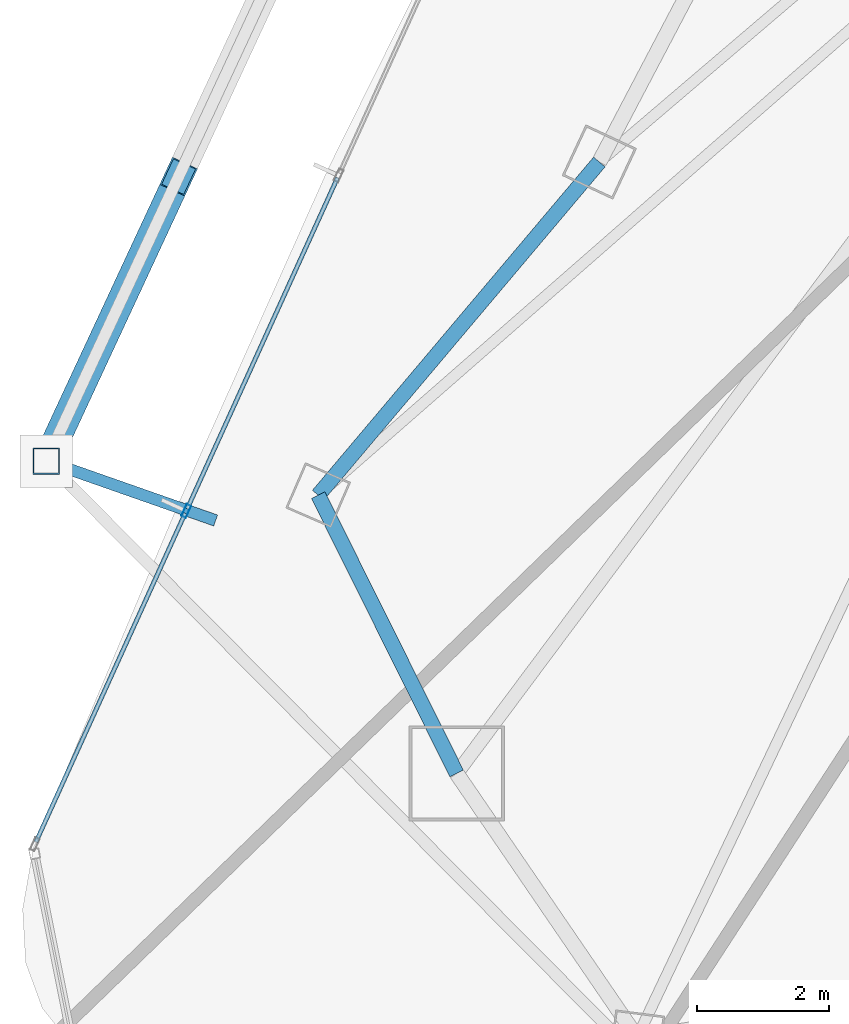
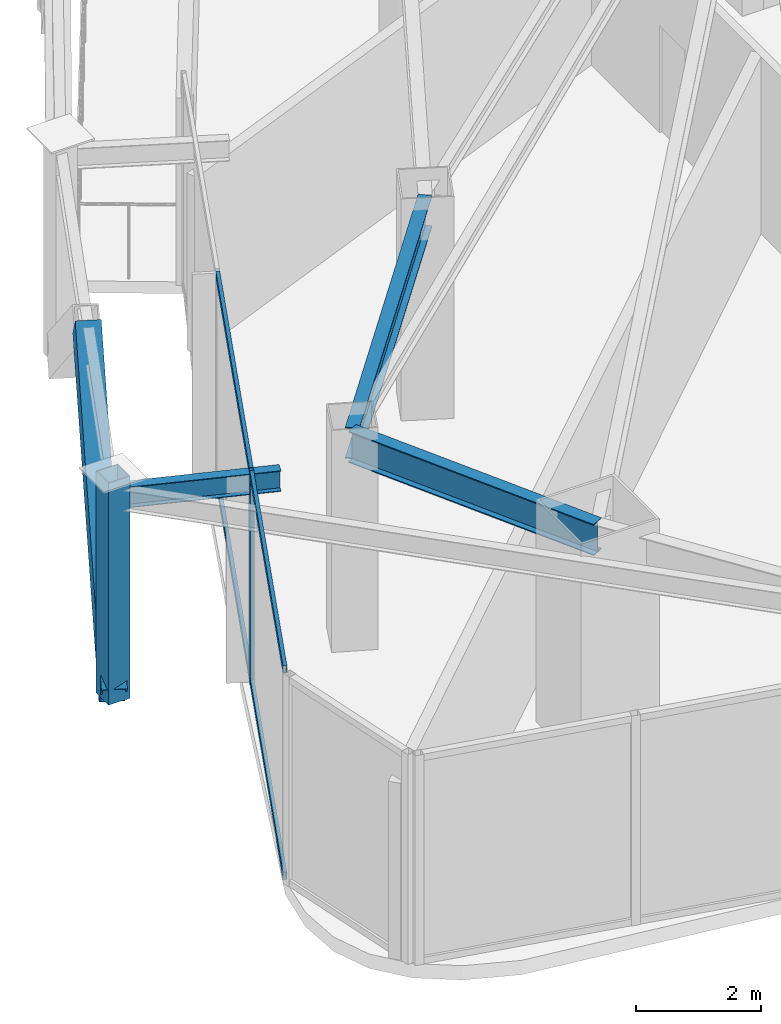
# One storey, part 5 of 28: 7 members, 3 beams, 1 element without a shape of its own.
"""IFC4 building model written with IfcOpenShell, lengths in metres."""

from ifc_helpers import new_model, si_unit, direction, frame, origin, origin_2d, place, context, subcontext, project, spatial, hollow_rectangle, i_section, extrude, material, layer, layer_set, material_profile, profile_set, type_object, element, aggregate, save


model = new_model("IFC4")

# Units and contexts
model_context = context("Model", 3, precision=1e-05, world=origin(), true_north=direction((0.0, 1.0)))
body_context = subcontext(model_context, "Body", "Model", "MODEL_VIEW")
ifc_project = project(units=[si_unit("LENGTHUNIT", "METRE"), si_unit("AREAUNIT", "SQUARE_METRE"), si_unit("VOLUMEUNIT", "CUBIC_METRE"), si_unit("PLANEANGLEUNIT", "RADIAN"), si_unit("MASSUNIT", "GRAM", prefix="KILO")], contexts=[model_context])

# Site, building, storey
site_placement = place(None, origin())
site = spatial("IfcSite", under=ifc_project, at=site_placement, CompositionType="ELEMENT")
building_placement = place(site_placement, origin())
building = spatial("IfcBuilding", under=site, at=building_placement, Name="Orvanel Arch Residences", CompositionType="ELEMENT")
storey_placement = place(building_placement, frame((0.0, 0.0, 146.300048828125)))
storey = spatial("IfcBuildingStorey", under=building, at=storey_placement, Name="L41", CompositionType="ELEMENT", Elevation=146.300048828125)

# Member
ifc_material_1 = material(Name="Structural steel AS/NZS 3678 Grade 350", Category="steel")
ifc_material_profile_1 = material_profile(ifc_material_1, hollow_rectangle(XDim=0.419921875, YDim=0.719970703125, WallThickness=0.02490234375, at=origin_2d()), Name="RHS720x420x25")
ifc_profile_set_1 = profile_set([ifc_material_profile_1], Name="Structural steel AS/NZS 3678 Grade 350")
member_type_1 = type_object("IfcMemberType", Name="BR-720RHS-EXT", PredefinedType="BRACE", material=ifc_profile_set_1)
member_1_placement = place(storey_placement, frame((7.964111328125, 15.096923828125, 0.0), z_axis=(0.326096835988, 0.70134782884, 0.633854933356), x_axis=(-0.906776207884, 0.421612273085, 0.0)))
element("IfcMember", 1, at=member_1_placement, inside=storey, type_object=member_type_1, Name="L41 Exterior Sky-Garden V-Frame Chevron F1B3.2", PredefinedType="BRACE", context=body_context, shape_type="SweptSolid", body=[
    extrude(hollow_rectangle(XDim=0.419921875, YDim=0.719970703125, WallThickness=0.02490234375, at=origin_2d()), origin(), (0.0, 0.0, 1.0), 6.163818359375),
])

# Curtain wall, member
ifc_material_2 = material(Name="Bronze-anodised aluminium AA6063-T6", Category="aluminium")
ifc_layer = layer(ifc_material_2, 0.195068359375)
ifc_layer_set = layer_set([ifc_layer], Name="Bronze-anodised aluminium AA6063-T6")
curtain_wall_type = type_object("IfcCurtainWallType", Name="CW6-COM-SYS", PredefinedType="NOTDEFINED", material=ifc_layer_set)
curtain_wall_placement = place(storey_placement, origin())
curtain_wall = element("IfcCurtainWall", 2, at=curtain_wall_placement, inside=storey, type_object=curtain_wall_type, Name="L41 CW6-COM-SYS Unitised Curtain Wall", PredefinedType="NOTDEFINED")
ifc_material_profile_2 = material_profile(ifc_material_2, hollow_rectangle(XDim=0.074951171875, YDim=0.199951171875, WallThickness=0.0048828125, at=origin_2d()), Name="ALU200x75x5")
ifc_profile_set_2 = profile_set([ifc_material_profile_2], Name="Bronze-anodised aluminium AA6063-T6")
member_type_2 = type_object("IfcMemberType", Name="MUL-200x75", PredefinedType="MULLION", material=ifc_profile_set_2)
member_2_placement = place(storey_placement, frame((10.089599609375, 14.33935546875, 0.0), z_axis=(0.0, 0.0, 1.0), x_axis=(0.91052138682, -0.413461974242, 0.0)))
member_2 = element("IfcMember", 3, at=member_2_placement, type_object=member_type_2, Name="CW-S6 mullion 3", PredefinedType="MULLION", context=body_context, shape_type="SweptSolid", body=[
    extrude(hollow_rectangle(XDim=0.074951171875, YDim=0.199951171875, WallThickness=0.0048828125, at=origin_2d()), origin(), (0.0, 0.0, 1.0), 4.10986328125),
])

# Beams
ifc_material_3 = material(Name="Structural steel AS/NZS 3679.1 Grade 300 (300 MPa)", Category="steel")
ifc_material_profile_3 = material_profile(ifc_material_3, i_section(OverallWidth=0.177978515625, OverallDepth=0.406005859375, WebThickness=0.0078125, FlangeThickness=0.0126953125, at=origin_2d()), Name="410UB59.7")
ifc_profile_set_3 = profile_set([ifc_material_profile_3], Name="Structural steel AS/NZS 3679.1 Grade 300 (300 MPa)")
beam_type_1 = type_object("IfcBeamType", Name="OB-410UB-EXT", PredefinedType="SPANDREL", material=ifc_profile_set_3)
beam_1_placement = place(storey_placement, frame((10.537109375, 14.195068359375, 3.906982421875), z_axis=(-0.943708886185, 0.330777172936, 0.0), x_axis=(-0.330777172936, -0.943708886185, 0.0)))
element("IfcBeam", 4, at=beam_1_placement, inside=storey, type_object=beam_type_1, Name="L41 Outer Frame Radial Tie Beam 04", PredefinedType="SPANDREL", context=body_context, shape_type="SweptSolid", body=[
    extrude(i_section(OverallWidth=0.177978515625, OverallDepth=0.406005859375, WebThickness=0.0078125, FlangeThickness=0.0126953125, at=origin_2d()), origin(), (0.0, 0.0, 1.0), 2.7265625),
])
ifc_material_profile_4 = material_profile(ifc_material_3, i_section(OverallWidth=0.22900390625, OverallDepth=0.612060546875, WebThickness=0.011962890625, FlangeThickness=0.01953125, at=origin_2d()), Name="610UB125")
ifc_profile_set_4 = profile_set([ifc_material_profile_4], Name="Structural steel AS/NZS 3679.1 Grade 300 (300 MPa)")
beam_type_2 = type_object("IfcBeamType", Name="SP-610UB", PredefinedType="SPANDREL", material=ifc_profile_set_4)
beam_2_placement = place(storey_placement, frame((16.366943359375, 19.64208984375, 3.803955078125), z_axis=(-0.644950329775, -0.764224490659, 0.0), x_axis=(0.764224490659, -0.644950329775, 0.0)))
element("IfcBeam", 5, at=beam_2_placement, inside=storey, type_object=beam_type_2, Name="L41 Perimeter Spandrel Beam 01", PredefinedType="SPANDREL", context=body_context, shape_type="SweptSolid", body=[
    extrude(i_section(OverallWidth=0.22900390625, OverallDepth=0.612060546875, WebThickness=0.011962890625, FlangeThickness=0.01953125, at=origin_2d()), origin(), (0.0, 0.0, 1.0), 6.623779296875),
])
beam_3_placement = place(storey_placement, frame((12.094970703125, 14.580078125, 3.803955078125), z_axis=(0.44543469453, -0.895314432425, 0.0), x_axis=(0.895314432425, 0.44543469453, 0.0)))
element("IfcBeam", 6, at=beam_3_placement, inside=storey, type_object=beam_type_2, Name="L41 Perimeter Spandrel Beam 02", PredefinedType="SPANDREL", context=body_context, shape_type="SweptSolid", body=[
    extrude(i_section(OverallWidth=0.22900390625, OverallDepth=0.612060546875, WebThickness=0.011962890625, FlangeThickness=0.01953125, at=origin_2d()), origin(), (0.0, 0.0, 1.0), 4.723388671875),
])

# Member
ifc_material_4 = material(Name="Structural steel AS/NZS 1163 C450L0 (Grade 450)", Category="steel")
ifc_material_profile_5 = material_profile(ifc_material_4, hollow_rectangle(XDim=0.39990234375, YDim=0.39990234375, WallThickness=0.01611328125, at=origin_2d()), Name="SHS400x400x16")
ifc_profile_set_5 = profile_set([ifc_material_profile_5], Name="Structural steel AS/NZS 1163 C450L0 (Grade 450)")
member_type_3 = type_object("IfcMemberType", Name="ST-400SHS-EXT", PredefinedType="STRUT", material=ifc_profile_set_5)
member_3_placement = place(storey_placement, frame((7.964111328125, 15.096923828125, 0.0), z_axis=(0.0, 0.0, 1.0), x_axis=(1.0, 0.0, 0.0)))
element("IfcMember", 7, at=member_3_placement, inside=storey, type_object=member_type_3, Name="L41 Outer Perimeter Frame Post 04", PredefinedType="STRUT", context=body_context, shape_type="SweptSolid", body=[
    extrude(hollow_rectangle(XDim=0.39990234375, YDim=0.39990234375, WallThickness=0.01611328125, at=origin_2d()), origin(), (0.0, 0.0, 1.0), 4.349853515625),
])

ifc_material_profile_6 = material_profile(ifc_material_2, hollow_rectangle(XDim=0.06494140625, YDim=0.14990234375, WallThickness=0.00390625, at=origin_2d()), Name="ALU150x65x4")
ifc_profile_set_6 = profile_set([ifc_material_profile_6], Name="Bronze-anodised aluminium AA6063-T6")
member_type_4 = type_object("IfcMemberType", Name="TRN-150x65", PredefinedType="USERDEFINED", material=ifc_profile_set_6)
member_4_placement = place(storey_placement, frame((12.388916015625, 19.402587890625, 0.032470703125), z_axis=(-0.413466556149, -0.910519306191, 0.0), x_axis=(0.910519306191, -0.413466556149, 0.0)))
member_4 = element("IfcMember", 8, at=member_4_placement, type_object=member_type_4, Name="CW-S6 transom 2.1", ObjectType="TRANSOM", PredefinedType="USERDEFINED", context=body_context, shape_type="SweptSolid", body=[
    extrude(hollow_rectangle(XDim=0.06494140625, YDim=0.14990234375, WallThickness=0.00390625, at=origin_2d()), origin(), (0.0, 0.0, 1.0), 5.523193359375),
])

member_5_placement = place(storey_placement, frame((12.388916015625, 19.402587890625, 4.077392578125), z_axis=(-0.413466556149, -0.910519306191, 0.0), x_axis=(0.910519306191, -0.413466556149, 0.0)))
member_5 = element("IfcMember", 9, at=member_5_placement, type_object=member_type_4, Name="CW-S6 transom 2.2", ObjectType="TRANSOM", PredefinedType="USERDEFINED", context=body_context, shape_type="SweptSolid", body=[
    extrude(hollow_rectangle(XDim=0.06494140625, YDim=0.14990234375, WallThickness=0.00390625, at=origin_2d()), origin(), (0.0, 0.0, 1.0), 5.523193359375),
])

member_6_placement = place(storey_placement, frame((10.07421875, 14.30517578125, 0.032470703125), z_axis=(-0.413487732823, -0.910509689572, 0.0), x_axis=(0.910509689572, -0.413487732823, 0.0)))
member_6 = element("IfcMember", 10, at=member_6_placement, type_object=member_type_4, Name="CW-S6 transom 3.1", ObjectType="TRANSOM", PredefinedType="USERDEFINED", context=body_context, shape_type="SweptSolid", body=[
    extrude(hollow_rectangle(XDim=0.06494140625, YDim=0.14990234375, WallThickness=0.00390625, at=origin_2d()), origin(), (0.0, 0.0, 1.0), 5.48583984375),
])

member_7_placement = place(storey_placement, frame((10.07421875, 14.30517578125, 4.077392578125), z_axis=(-0.413487732823, -0.910509689572, 0.0), x_axis=(0.910509689572, -0.413487732823, 0.0)))
member_7 = element("IfcMember", 11, at=member_7_placement, type_object=member_type_4, Name="CW-S6 transom 3.2", ObjectType="TRANSOM", PredefinedType="USERDEFINED", context=body_context, shape_type="SweptSolid", body=[
    extrude(hollow_rectangle(XDim=0.06494140625, YDim=0.14990234375, WallThickness=0.00390625, at=origin_2d()), origin(), (0.0, 0.0, 1.0), 5.48583984375),
])

aggregate(curtain_wall, [member_2, member_4, member_5, member_6, member_7])

save(model, "model.ifc")
